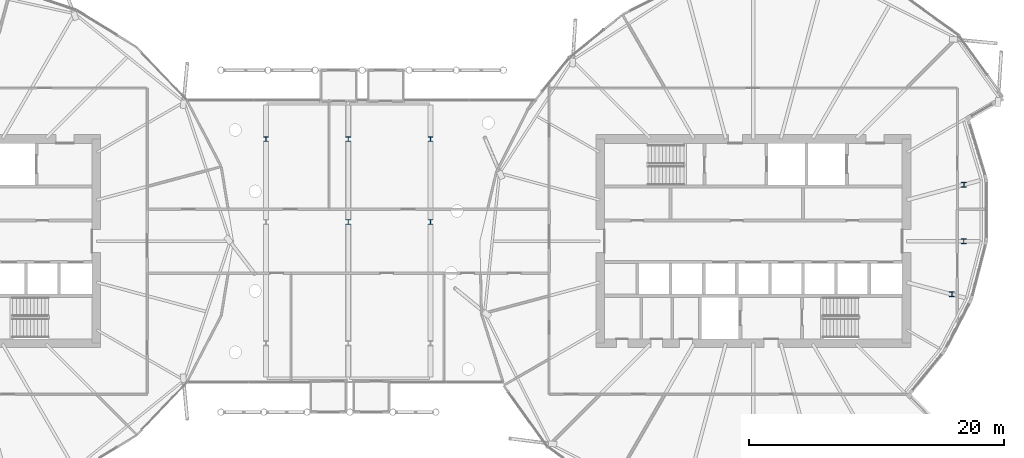
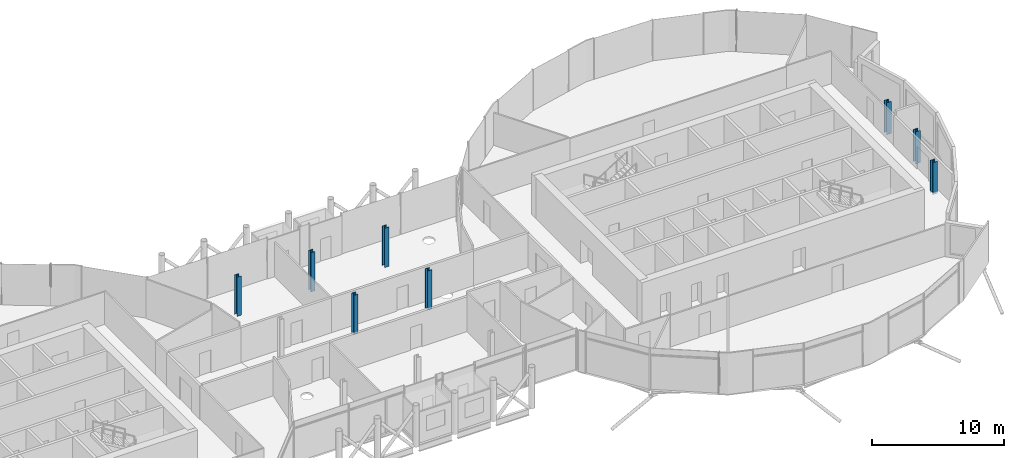
# One storey, part 2 of 39: 8 columns.
"""IFC4 building model written with IfcOpenShell, lengths in metres."""

from ifc_helpers import new_model, si_unit, direction, frame, origin, origin_2d, place, context, subcontext, project, spatial, i_section, extrude, material, material_profile, profile_set, type_object, element, save


model = new_model("IFC4")

# Units and contexts
model_context = context("Model", 3, precision=1e-05, world=origin(), true_north=direction((0.0, 1.0)))
body_context = subcontext(model_context, "Body", "Model", "MODEL_VIEW")
ifc_project = project(units=[si_unit("LENGTHUNIT", "METRE"), si_unit("AREAUNIT", "SQUARE_METRE"), si_unit("VOLUMEUNIT", "CUBIC_METRE"), si_unit("PLANEANGLEUNIT", "RADIAN"), si_unit("MASSUNIT", "GRAM", prefix="KILO")], contexts=[model_context])

# Site, building, storey
site_placement = place(None, origin())
site = spatial("IfcSite", under=ifc_project, at=site_placement, CompositionType="ELEMENT")
building_placement = place(site_placement, origin())
building = spatial("IfcBuilding", under=site, at=building_placement, Name="Rimbun Link Towers", CompositionType="ELEMENT")
storey_placement = place(building_placement, frame((0.0, 0.0, 139.199951171875)))
storey = spatial("IfcBuildingStorey", under=building, at=storey_placement, Name="L33", CompositionType="ELEMENT", Elevation=139.199951171875)

# Columns
ifc_material_1 = material(Name="Steel S355J2", Category="steel")
ifc_material_profile_1 = material_profile(ifc_material_1, i_section(OverallWidth=0.374755859375, OverallDepth=0.37451171875, WebThickness=0.0166015625, FlangeThickness=0.027099609375, at=origin_2d()), Name="UKC 356x368x202")
ifc_profile_set_1 = profile_set([ifc_material_profile_1], Name="Steel S355J2")
column_type_1 = type_object("IfcColumnType", Name="Link column UKC 356x368x202", PredefinedType="COLUMN", material=ifc_profile_set_1)
for number, where, z_axis, x_axis, name in (
    (1, (-6.449951171875, 8.0, 0.0), (0.0, 0.0, 1.0), (1.0, 0.0, 0.0), "Link column L33 3-1"),
    (2, (0.0, 1.5, 0.0), (0.0, 0.0, 1.0), (1.0, 0.0, 0.0), "Link column L33 2-2"),
    (3, (0.0, 8.0, 0.0), (0.0, 0.0, 1.0), (1.0, 0.0, 0.0), "Link column L33 3-2"),
    (4, (6.449951171875, 1.5, 0.0), (0.0, 0.0, 1.0), (1.0, 0.0, 0.0), "Link column L33 2-3"),
    (5, (6.449951171875, 8.0, 0.0), (0.0, 0.0, 1.0), (1.0, 0.0, 0.0), "Link column L33 3-3"),
):
    element("IfcColumn", number, at=place(storey_placement, frame(where, z_axis=z_axis, x_axis=x_axis)), inside=storey, type_object=column_type_1, Name=name, PredefinedType="COLUMN", context=body_context, shape_type="SweptSolid", body=[
        extrude(i_section(OverallWidth=0.374755859375, OverallDepth=0.37451171875, WebThickness=0.0166015625, FlangeThickness=0.027099609375, at=origin_2d()), origin(), (0.0, 0.0, 1.0), 3.64013671875),
    ])
ifc_material_2 = material(Name="Steel S355J2", Category="steel")
ifc_material_profile_2 = material_profile(ifc_material_2, i_section(OverallWidth=0.39892578125, OverallDepth=0.3935546875, WebThickness=0.022705078125, FlangeThickness=0.03662109375, at=origin_2d()), Name="UC 356x406x287")
ifc_profile_set_2 = profile_set([ifc_material_profile_2], Name="Steel S355J2")
column_type_2 = type_object("IfcColumnType", Name="UC 356x406x287", PredefinedType="COLUMN", material=ifc_profile_set_2)
for number, where, z_axis, x_axis, name in (
    (6, (47.317138671875, -4.171142578125, -0.179931640625), (0.0, 0.0, 1.0), (1.0, 0.0, 0.0), "Crease post T2 L33 20"),
    (7, (48.236083984375, 0.0, -0.179931640625), (0.0, 0.0, 1.0), (1.0, 0.0, 0.0), "Crease post T2 L33 21"),
    (8, (48.25146484375, 4.42138671875, -0.179931640625), (0.0, 0.0, 1.0), (1.0, 0.0, 0.0), "Crease post T2 L33 22"),
):
    element("IfcColumn", number, at=place(storey_placement, frame(where, z_axis=z_axis, x_axis=x_axis)), inside=storey, type_object=column_type_2, Name=name, PredefinedType="COLUMN", context=body_context, shape_type="SweptSolid", body=[
        extrude(i_section(OverallWidth=0.39892578125, OverallDepth=0.3935546875, WebThickness=0.022705078125, FlangeThickness=0.03662109375, at=origin_2d()), origin(), (0.0, 0.0, 1.0), 2.959228515625),
    ])

save(model, "model.ifc")
